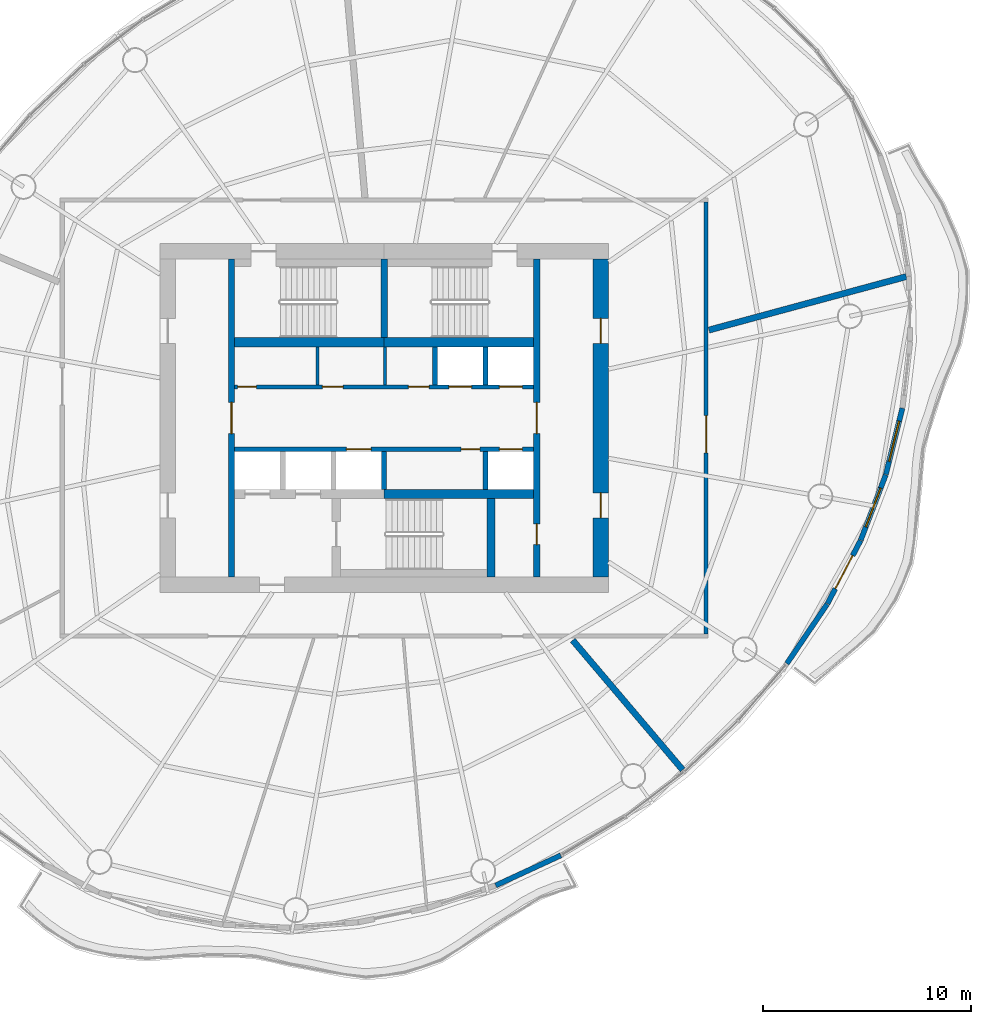
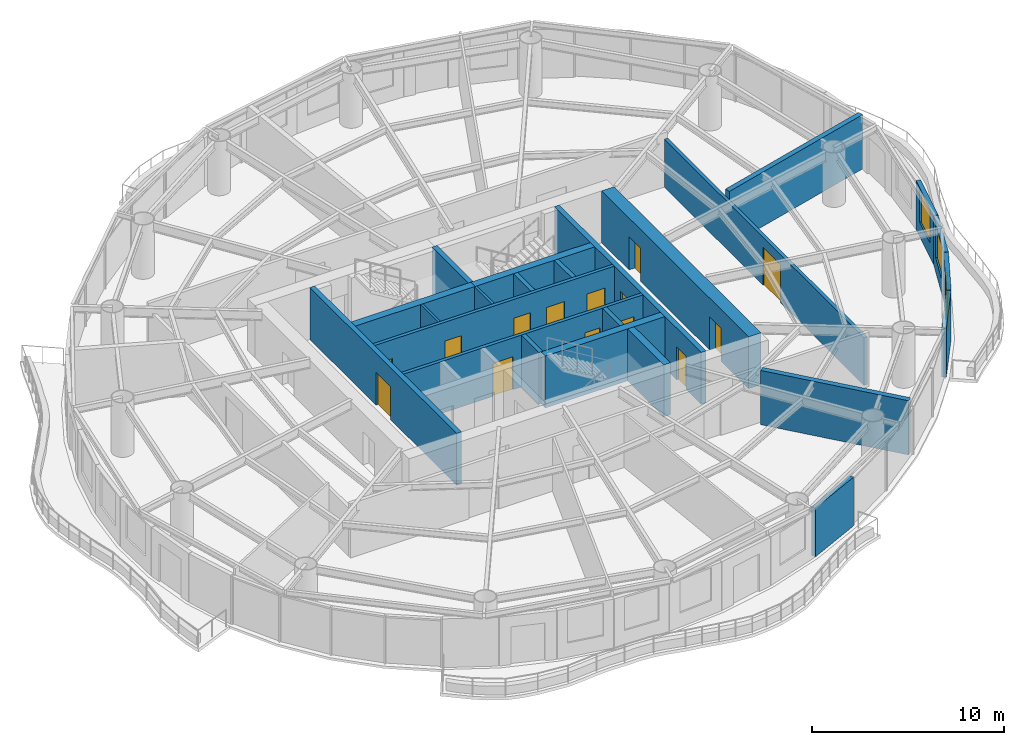
# One storey, part 9 of 14: 24 walls, 15 doors, 2 windows, 17 openings.
"""IFC4 building model written with IfcOpenShell, lengths in metres."""

from ifc_helpers import new_model, si_unit, direction, frame, frame_2d, origin, place, context, subcontext, project, spatial, rectangle, extrude, material, layer, layer_set, type_object, element, fill, save


model = new_model("IFC4")

# Units and contexts
model_context = context("Model", 3, precision=1e-05, world=origin(), true_north=direction((0.0, 1.0)))
body_context = subcontext(model_context, "Body", "Model", "MODEL_VIEW")
ifc_project = project(units=[si_unit("LENGTHUNIT", "METRE"), si_unit("AREAUNIT", "SQUARE_METRE"), si_unit("VOLUMEUNIT", "CUBIC_METRE"), si_unit("PLANEANGLEUNIT", "RADIAN"), si_unit("MASSUNIT", "GRAM", prefix="KILO")], contexts=[model_context])

# Site, building, storey
site_placement = place(None, origin())
site = spatial("IfcSite", under=ifc_project, at=site_placement, CompositionType="ELEMENT")
building_placement = place(site_placement, origin())
building = spatial("IfcBuilding", under=site, at=building_placement, Name="Vermilion Reach Broadcast Tower", CompositionType="ELEMENT")
storey_placement = place(building_placement, frame((0.0, 0.0, 195.699951171875)))
storey = spatial("IfcBuildingStorey", under=building, at=storey_placement, Name="L47", CompositionType="ELEMENT", Elevation=195.699951171875)

# Wall, opening, door
ifc_material_1 = material(Name="Concrete C60", Category="concrete")
ifc_layer_1 = layer(ifc_material_1, 0.300048828125)
ifc_layer_set_1 = layer_set([ifc_layer_1], Name="Core inner wall 300 mm Concrete C60")
wall_type_1 = type_object("IfcWallType", Name="Core inner wall 300 mm Concrete C60", PredefinedType="SHEAR", material=ifc_layer_set_1)
wall_1_placement = place(storey_placement, frame((-13.35009765625, 7.64990234375, 0.0), z_axis=(0.0, 0.0, 1.0), x_axis=(0.0, -1.0, 0.0)))
wall_1 = element("IfcWall", 1, at=wall_1_placement, inside=storey, type_object=wall_type_1, Name="L47 core wall ewW", PredefinedType="SHEAR", context=body_context, shape_type="SweptSolid", body=[
    extrude(rectangle(XDim=15.2998046875, YDim=0.300048828125, at=frame_2d((7.64990234375, 0.0))), origin(), (0.0, 0.0, 1.0), 3.300048828125),
])
opening_1_placement = place(wall_1_placement, frame((6.89990234375, 0.0, 0.0)))
opening_1 = element("IfcOpeningElement", 2, at=opening_1_placement, cuts=wall_1, Name="Opening D04", PredefinedType="OPENING", context=body_context, shape_type="SweptSolid", body=[
    extrude(rectangle(XDim=1.5, YDim=2.10009765625, at=frame_2d((0.75, 1.050048828125))), frame((0.0, 0.159912109375, 0.0), z_axis=(0.0, -1.0, 0.0), x_axis=(1.0, 0.0, 0.0)), (0.0, 0.0, 1.0), 0.320068359375),
])
ifc_material_2 = material(Name="Painted steel fire door", Category="steel")
door_type_1 = type_object("IfcDoorType", Name="Lift lobby door 1500 x 2100", OperationType="DOUBLE_DOOR_SINGLE_SWING", PredefinedType="NOTDEFINED", material=ifc_material_2)
door_1_placement = place(opening_1_placement, origin())
door_1 = element("IfcDoor", 3, at=door_1_placement, inside=storey, type_object=door_type_1, Name="L47 band door BW", OperationType="DOUBLE_DOOR_SINGLE_SWING", OverallHeight=2.10009765625, OverallWidth=1.5, PredefinedType="NOTDEFINED", context=body_context, shape_type="SweptSolid", body=[
    extrude(rectangle(XDim=1.5, YDim=2.10009765625, at=frame_2d((0.75, 1.050048828125))), frame((0.0, 0.02490234375, 0.0), z_axis=(0.0, -1.0, 0.0), x_axis=(1.0, 0.0, 0.0)), (0.0, 0.0, 1.0), 0.050048828125),
])
fill(opening_1, door_1)

# Wall, openings, doors
wall_2_placement = place(storey_placement, frame((1.35009765625, -7.64990234375, 0.0), z_axis=(0.0, 0.0, 1.0), x_axis=(0.0, 1.0, 0.0)))
wall_2 = element("IfcWall", 4, at=wall_2_placement, inside=storey, type_object=wall_type_1, Name="L47 core wall ewE", PredefinedType="SHEAR", context=body_context, shape_type="SweptSolid", body=[
    extrude(rectangle(XDim=15.2998046875, YDim=0.300048828125, at=frame_2d((7.64990234375, 0.0))), origin(), (0.0, 0.0, 1.0), 3.300048828125),
])
opening_2_placement = place(wall_2_placement, frame((1.56005859375, 0.0, 0.0)))
opening_2 = element("IfcOpeningElement", 5, at=opening_2_placement, cuts=wall_2, Name="Opening D05", PredefinedType="OPENING", context=body_context, shape_type="SweptSolid", body=[
    extrude(rectangle(XDim=1.0, YDim=2.10009765625, at=frame_2d((0.5, 1.050048828125))), frame((0.0, 0.159912109375, 0.0), z_axis=(0.0, -1.0, 0.0), x_axis=(1.0, 0.0, 0.0)), (0.0, 0.0, 1.0), 0.320068359375),
])
opening_3_placement = place(wall_2_placement, frame((6.89990234375, 0.0, 0.0)))
opening_3 = element("IfcOpeningElement", 6, at=opening_3_placement, cuts=wall_2, Name="Opening D04", PredefinedType="OPENING", context=body_context, shape_type="SweptSolid", body=[
    extrude(rectangle(XDim=1.5, YDim=2.10009765625, at=frame_2d((0.75, 1.050048828125))), frame((0.0, 0.159912109375, 0.0), z_axis=(0.0, -1.0, 0.0), x_axis=(1.0, 0.0, 0.0)), (0.0, 0.0, 1.0), 0.320068359375),
])
door_2_placement = place(opening_3_placement, origin())
door_2 = element("IfcDoor", 7, at=door_2_placement, inside=storey, type_object=door_type_1, Name="L47 band door BE", OperationType="DOUBLE_DOOR_SINGLE_SWING", OverallHeight=2.10009765625, OverallWidth=1.5, PredefinedType="NOTDEFINED", context=body_context, shape_type="SweptSolid", body=[
    extrude(rectangle(XDim=1.5, YDim=2.10009765625, at=frame_2d((0.75, 1.050048828125))), frame((0.0, 0.02490234375, 0.0), z_axis=(0.0, -1.0, 0.0), x_axis=(1.0, 0.0, 0.0)), (0.0, 0.0, 1.0), 0.050048828125),
])
fill(opening_3, door_2)
ifc_material_3 = material(Name="Timber door", Category="wood")
door_type_2 = type_object("IfcDoorType", Name="Room door 1000 x 2100", OperationType="NOTDEFINED", PredefinedType="NOTDEFINED", material=ifc_material_3)
door_3_placement = place(opening_2_placement, origin())
door_3 = element("IfcDoor", 8, at=door_3_placement, inside=storey, type_object=door_type_2, Name="L47 door SER", OperationType="SINGLE_SWING_LEFT", OverallHeight=2.10009765625, OverallWidth=1.0, PredefinedType="NOTDEFINED", context=body_context, shape_type="SweptSolid", body=[
    extrude(rectangle(XDim=1.0, YDim=2.10009765625, at=frame_2d((0.5, 1.050048828125))), frame((0.0, 0.02490234375, 0.0), z_axis=(0.0, -1.0, 0.0), x_axis=(1.0, 0.0, 0.0)), (0.0, 0.0, 1.0), 0.050048828125),
])
fill(opening_2, door_3)

# Walls
wall_3_placement = place(storey_placement, frame((-6.0, 3.8798828125, 0.0), z_axis=(0.0, 0.0, 1.0), x_axis=(0.0, 1.0, 0.0)))
element("IfcWall", 9, at=wall_3_placement, inside=storey, type_object=wall_type_1, Name="L47 core wall wc", PredefinedType="SHEAR", context=body_context, shape_type="SweptSolid", body=[
    extrude(rectangle(XDim=3.77001953125, YDim=0.300048828125, at=frame_2d((1.885009765625, 0.0))), origin(), (0.0, 0.0, 1.0), 3.300048828125),
])
ifc_material_4 = material(Name="Concrete C60", Category="concrete")
ifc_layer_2 = layer(ifc_material_4, 0.39990234375)
ifc_layer_set_2 = layer_set([ifc_layer_2], Name="Core inner wall 400 mm Concrete C60")
wall_type_2 = type_object("IfcWallType", Name="Core inner wall 400 mm Concrete C60", PredefinedType="SHEAR", material=ifc_layer_set_2)
wall_4_placement = place(storey_placement, frame((-0.85009765625, -3.8798828125, 0.0), z_axis=(0.0, 0.0, 1.0), x_axis=(0.0, -1.0, 0.0)))
element("IfcWall", 10, at=wall_4_placement, inside=storey, type_object=wall_type_2, Name="L47 core wall wb", PredefinedType="SHEAR", context=body_context, shape_type="SweptSolid", body=[
    extrude(rectangle(XDim=3.77001953125, YDim=0.39990234375, at=frame_2d((1.885009765625, 0.0))), origin(), (0.0, 0.0, 1.0), 3.300048828125),
])
ifc_material_5 = material(Name="Concrete C60", Category="concrete")
ifc_layer_3 = layer(ifc_material_5, 0.449951171875)
ifc_layer_set_3 = layer_set([ifc_layer_3], Name="Core inner wall 450 mm Concrete C60")
wall_type_3 = type_object("IfcWallType", Name="Core inner wall 450 mm Concrete C60", PredefinedType="SHEAR", material=ifc_layer_set_3)
for number, where, z_axis, x_axis, name in (
    (11, (-13.199951171875, 3.655029296875, 0.0), (0.0, 0.0, 1.0), (1.0, 0.0, 0.0), "L47 core wall winW"),
    (12, (-6.0, 3.655029296875, 0.0), (0.0, 0.0, 1.0), (1.0, 0.0, 0.0), "L47 core wall winE"),
    (13, (-6.0, -3.655029296875, 0.0), (0.0, 0.0, 1.0), (1.0, 0.0, 0.0), "L47 core wall wisE"),
):
    element("IfcWall", number, at=place(storey_placement, frame(where, z_axis=z_axis, x_axis=x_axis)), inside=storey, type_object=wall_type_3, Name=name, PredefinedType="SHEAR", context=body_context, shape_type="SweptSolid", body=[
        extrude(rectangle(XDim=7.199951171875, YDim=0.449951171875, at=frame_2d((3.60009765625, 0.0))), origin(), (0.0, 0.0, 1.0), 3.300048828125),
    ])

# Wall, openings, doors
ifc_material_6 = material(Name="Concrete C60", Category="concrete")
ifc_layer_4 = layer(ifc_material_6, 0.75)
ifc_layer_set_4 = layer_set([ifc_layer_4], Name="Core outer wall 750 mm Concrete C60")
wall_type_4 = type_object("IfcWallType", Name="Core outer wall 750 mm Concrete C60", PredefinedType="SHEAR", material=ifc_layer_set_4)
wall_5_placement = place(storey_placement, frame((4.425048828125, -7.64990234375, 0.0), z_axis=(0.0, 0.0, 1.0), x_axis=(0.0, 1.0, 0.0)))
wall_5 = element("IfcWall", 14, at=wall_5_placement, inside=storey, type_object=wall_type_4, Name="L47 core wall oe", PredefinedType="SHEAR", context=body_context, shape_type="SweptSolid", body=[
    extrude(rectangle(XDim=15.2998046875, YDim=0.75, at=frame_2d((7.64990234375, 0.0))), origin(), (0.0, 0.0, 1.0), 3.300048828125),
])
opening_4_placement = place(wall_5_placement, frame((2.85009765625, 0.0, 0.0)))
opening_4 = element("IfcOpeningElement", 15, at=opening_4_placement, cuts=wall_5, Name="Opening D03", PredefinedType="OPENING", context=body_context, shape_type="SweptSolid", body=[
    extrude(rectangle(XDim=1.199951171875, YDim=2.10009765625, at=frame_2d((0.60009765625, 1.050048828125))), frame((0.0, 0.385009765625, 0.0), z_axis=(0.0, -1.0, 0.0), x_axis=(1.0, 0.0, 0.0)), (0.0, 0.0, 1.0), 0.77001953125),
])
opening_5_placement = place(wall_5_placement, frame((11.25, 0.0, 0.0)))
opening_5 = element("IfcOpeningElement", 16, at=opening_5_placement, cuts=wall_5, Name="Opening D03", PredefinedType="OPENING", context=body_context, shape_type="SweptSolid", body=[
    extrude(rectangle(XDim=1.199951171875, YDim=2.10009765625, at=frame_2d((0.60009765625, 1.050048828125))), frame((0.0, 0.385009765625, 0.0), z_axis=(0.0, -1.0, 0.0), x_axis=(1.0, 0.0, 0.0)), (0.0, 0.0, 1.0), 0.77001953125),
])
ifc_material_7 = material(Name="Painted steel fire door", Category="steel")
door_type_3 = type_object("IfcDoorType", Name="Core lobby door 1200 x 2100", OperationType="DOUBLE_DOOR_SINGLE_SWING", PredefinedType="NOTDEFINED", material=ifc_material_7)
door_4_placement = place(opening_4_placement, origin())
door_4 = element("IfcDoor", 17, at=door_4_placement, inside=storey, type_object=door_type_3, Name="L47 slot door E0", OperationType="DOUBLE_DOOR_SINGLE_SWING", OverallHeight=2.10009765625, OverallWidth=1.199951171875, PredefinedType="NOTDEFINED", context=body_context, shape_type="SweptSolid", body=[
    extrude(rectangle(XDim=1.199951171875, YDim=2.10009765625, at=frame_2d((0.60009765625, 1.050048828125))), frame((0.0, 0.02490234375, 0.0), z_axis=(0.0, -1.0, 0.0), x_axis=(1.0, 0.0, 0.0)), (0.0, 0.0, 1.0), 0.050048828125),
])
fill(opening_4, door_4)
door_5_placement = place(opening_5_placement, origin())
door_5 = element("IfcDoor", 18, at=door_5_placement, inside=storey, type_object=door_type_3, Name="L47 slot door E1", OperationType="DOUBLE_DOOR_SINGLE_SWING", OverallHeight=2.10009765625, OverallWidth=1.199951171875, PredefinedType="NOTDEFINED", context=body_context, shape_type="SweptSolid", body=[
    extrude(rectangle(XDim=1.199951171875, YDim=2.10009765625, at=frame_2d((0.60009765625, 1.050048828125))), frame((0.0, 0.02490234375, 0.0), z_axis=(0.0, -1.0, 0.0), x_axis=(1.0, 0.0, 0.0)), (0.0, 0.0, 1.0), 0.050048828125),
])
fill(opening_5, door_5)

# Walls
ifc_material_8 = material(Name="Masonry block", Category="masonry")
ifc_layer_5 = layer(ifc_material_8, 0.14990234375)
ifc_layer_set_5 = layer_set([ifc_layer_5], Name="Core partition wall 150 mm Masonry block")
wall_type_5 = type_object("IfcWallType", Name="Core partition wall 150 mm Masonry block", PredefinedType="PARTITIONING", material=ifc_layer_set_5)
for number, where, z_axis, x_axis, name in (
    (19, (-9.202880859375, 1.60009765625, 0.0), (0.0, 0.0, 1.0), (0.0, 1.0, 0.0), "L47 core wall prN-3203"),
    (20, (-5.96728515625, 1.60009765625, 0.0), (0.0, 0.0, 1.0), (0.0, 1.0, 0.0), "L47 core wall prN33"),
):
    element("IfcWall", number, at=place(storey_placement, frame(where, z_axis=z_axis, x_axis=x_axis)), inside=storey, type_object=wall_type_5, Name=name, PredefinedType="PARTITIONING", context=body_context, shape_type="SweptSolid", body=[
        extrude(rectangle(XDim=1.829833984375, YDim=0.14990234375, at=frame_2d((0.9150390625, 0.0))), origin(), (0.0, 0.0, 1.0), 3.300048828125),
    ])

# Wall, openings, doors
ifc_material_9 = material(Name="Concrete C50", Category="concrete")
ifc_layer_6 = layer(ifc_material_9, 0.199951171875)
ifc_layer_set_6 = layer_set([ifc_layer_6], Name="Core shaft wall 200 mm Concrete C50")
wall_type_6 = type_object("IfcWallType", Name="Core shaft wall 200 mm Concrete C50", PredefinedType="SHEAR", material=ifc_layer_set_6)
wall_6_placement = place(storey_placement, frame((-13.199951171875, 1.5, 0.0), z_axis=(0.0, 0.0, 1.0), x_axis=(1.0, 0.0, 0.0)))
wall_6 = element("IfcWall", 21, at=wall_6_placement, inside=storey, type_object=wall_type_6, Name="L47 core wall fn", PredefinedType="SHEAR", context=body_context, shape_type="SweptSolid", body=[
    extrude(rectangle(XDim=14.39990234375, YDim=0.199951171875, at=frame_2d((7.199951171875, 0.0))), origin(), (0.0, 0.0, 1.0), 3.300048828125),
])
opening_6_placement = place(wall_6_placement, frame((10.3125, 0.0, 0.0)))
opening_6 = element("IfcOpeningElement", 22, at=opening_6_placement, cuts=wall_6, Name="Opening LD2", PredefinedType="OPENING", context=body_context, shape_type="SweptSolid", body=[
    extrude(rectangle(XDim=1.10009765625, YDim=2.10009765625, at=frame_2d((0.550048828125, 1.050048828125))), frame((0.0, 0.10986328125, 0.0), z_axis=(0.0, -1.0, 0.0), x_axis=(1.0, 0.0, 0.0)), (0.0, 0.0, 1.0), 0.219970703125),
])
opening_7_placement = place(wall_6_placement, frame((12.754150390625, 0.0, 0.0)))
opening_7 = element("IfcOpeningElement", 23, at=opening_7_placement, cuts=wall_6, Name="Opening LD2", PredefinedType="OPENING", context=body_context, shape_type="SweptSolid", body=[
    extrude(rectangle(XDim=1.10009765625, YDim=2.10009765625, at=frame_2d((0.550048828125, 1.050048828125))), frame((0.0, 0.10986328125, 0.0), z_axis=(0.0, -1.0, 0.0), x_axis=(1.0, 0.0, 0.0)), (0.0, 0.0, 1.0), 0.219970703125),
])
opening_8_placement = place(wall_6_placement, frame((0.14990234375, 0.0, 0.0)))
opening_8 = element("IfcOpeningElement", 24, at=opening_8_placement, cuts=wall_6, Name="Opening D06", PredefinedType="OPENING", context=body_context, shape_type="SweptSolid", body=[
    extrude(rectangle(XDim=0.89990234375, YDim=2.10009765625, at=frame_2d((0.449951171875, 1.050048828125))), frame((0.0, 0.10986328125, 0.0), z_axis=(0.0, -1.0, 0.0), x_axis=(1.0, 0.0, 0.0)), (0.0, 0.0, 1.0), 0.219970703125),
])
opening_9_placement = place(wall_6_placement, frame((4.221923828125, 0.0, 0.0)))
opening_9 = element("IfcOpeningElement", 25, at=opening_9_placement, cuts=wall_6, Name="Opening D07", PredefinedType="OPENING", context=body_context, shape_type="SweptSolid", body=[
    extrude(rectangle(XDim=1.0, YDim=2.10009765625, at=frame_2d((0.5, 1.050048828125))), frame((0.0, 0.10986328125, 0.0), z_axis=(0.0, -1.0, 0.0), x_axis=(1.0, 0.0, 0.0)), (0.0, 0.0, 1.0), 0.219970703125),
])
opening_10_placement = place(wall_6_placement, frame((8.36669921875, 0.0, 0.0)))
opening_10 = element("IfcOpeningElement", 26, at=opening_10_placement, cuts=wall_6, Name="Opening D10", PredefinedType="OPENING", context=body_context, shape_type="SweptSolid", body=[
    extrude(rectangle(XDim=1.0, YDim=2.10009765625, at=frame_2d((0.5, 1.050048828125))), frame((0.0, 0.10986328125, 0.0), z_axis=(0.0, -1.0, 0.0), x_axis=(1.0, 0.0, 0.0)), (0.0, 0.0, 1.0), 0.219970703125),
])
ifc_material_10 = material(Name="Timber door", Category="wood")
door_type_4 = type_object("IfcDoorType", Name="Accessible WC door 1000 x 2100", OperationType="NOTDEFINED", PredefinedType="NOTDEFINED", material=ifc_material_10)
door_6_placement = place(opening_9_placement, origin())
door_6 = element("IfcDoor", 27, at=door_6_placement, inside=storey, type_object=door_type_4, Name="L47 door Accessible WC", OperationType="SINGLE_SWING_LEFT", OverallHeight=2.10009765625, OverallWidth=1.0, PredefinedType="NOTDEFINED", context=body_context, shape_type="SweptSolid", body=[
    extrude(rectangle(XDim=1.0, YDim=2.10009765625, at=frame_2d((0.5, 1.050048828125))), frame((0.0, 0.02490234375, 0.0), z_axis=(0.0, -1.0, 0.0), x_axis=(1.0, 0.0, 0.0)), (0.0, 0.0, 1.0), 0.050048828125),
])
fill(opening_9, door_6)
ifc_material_11 = material(Name="Stainless steel", Category="steel")
door_type_5 = type_object("IfcDoorType", Name="Landing door 1100 x 2100", OperationType="DOUBLE_DOOR_SLIDING", PredefinedType="NOTDEFINED", material=ifc_material_11)
door_7_placement = place(opening_6_placement, origin())
door_7 = element("IfcDoor", 28, at=door_7_placement, inside=storey, type_object=door_type_5, Name="L47 landing door HR1", OperationType="DOUBLE_DOOR_SLIDING", OverallHeight=2.10009765625, OverallWidth=1.10009765625, PredefinedType="NOTDEFINED", context=body_context, shape_type="SweptSolid", body=[
    extrude(rectangle(XDim=1.10009765625, YDim=2.10009765625, at=frame_2d((0.550048828125, 1.050048828125))), frame((0.0, 0.02490234375, 0.0), z_axis=(0.0, -1.0, 0.0), x_axis=(1.0, 0.0, 0.0)), (0.0, 0.0, 1.0), 0.050048828125),
])
fill(opening_6, door_7)
door_8_placement = place(opening_7_placement, origin())
door_8 = element("IfcDoor", 29, at=door_8_placement, inside=storey, type_object=door_type_5, Name="L47 landing door HR2", OperationType="DOUBLE_DOOR_SLIDING", OverallHeight=2.10009765625, OverallWidth=1.10009765625, PredefinedType="NOTDEFINED", context=body_context, shape_type="SweptSolid", body=[
    extrude(rectangle(XDim=1.10009765625, YDim=2.10009765625, at=frame_2d((0.550048828125, 1.050048828125))), frame((0.0, 0.02490234375, 0.0), z_axis=(0.0, -1.0, 0.0), x_axis=(1.0, 0.0, 0.0)), (0.0, 0.0, 1.0), 0.050048828125),
])
fill(opening_7, door_8)
ifc_material_12 = material(Name="Timber door", Category="wood")
door_type_6 = type_object("IfcDoorType", Name="WC door 900 x 2100", OperationType="NOTDEFINED", PredefinedType="NOTDEFINED", material=ifc_material_12)
door_9_placement = place(opening_8_placement, origin())
door_9 = element("IfcDoor", 30, at=door_9_placement, inside=storey, type_object=door_type_6, Name="L47 door Male WC", OperationType="SINGLE_SWING_LEFT", OverallHeight=2.10009765625, OverallWidth=0.89990234375, PredefinedType="NOTDEFINED", context=body_context, shape_type="SweptSolid", body=[
    extrude(rectangle(XDim=0.89990234375, YDim=2.10009765625, at=frame_2d((0.449951171875, 1.050048828125))), frame((0.0, 0.02490234375, 0.0), z_axis=(0.0, -1.0, 0.0), x_axis=(1.0, 0.0, 0.0)), (0.0, 0.0, 1.0), 0.050048828125),
])
fill(opening_8, door_9)
ifc_material_13 = material(Name="Timber door", Category="wood")
door_type_7 = type_object("IfcDoorType", Name="WC lobby door 1000 x 2100", OperationType="NOTDEFINED", PredefinedType="NOTDEFINED", material=ifc_material_13)
door_10_placement = place(opening_10_placement, origin())
door_10 = element("IfcDoor", 31, at=door_10_placement, inside=storey, type_object=door_type_7, Name="L47 door WC lobby", OperationType="SINGLE_SWING_RIGHT", OverallHeight=2.10009765625, OverallWidth=1.0, PredefinedType="NOTDEFINED", context=body_context, shape_type="SweptSolid", body=[
    extrude(rectangle(XDim=1.0, YDim=2.10009765625, at=frame_2d((0.5, 1.050048828125))), frame((0.0, 0.02490234375, 0.0), z_axis=(0.0, -1.0, 0.0), x_axis=(1.0, 0.0, 0.0)), (0.0, 0.0, 1.0), 0.050048828125),
])
fill(opening_10, door_10)

wall_7_placement = place(storey_placement, frame((1.199951171875, -1.5, 0.0), z_axis=(0.0, 0.0, 1.0), x_axis=(-1.0, 0.0, 0.0)))
wall_7 = element("IfcWall", 32, at=wall_7_placement, inside=storey, type_object=wall_type_6, Name="L47 core wall fs", PredefinedType="SHEAR", context=body_context, shape_type="SweptSolid", body=[
    extrude(rectangle(XDim=14.39990234375, YDim=0.199951171875, at=frame_2d((7.199951171875, 0.0))), origin(), (0.0, 0.0, 1.0), 3.300048828125),
])
opening_11_placement = place(wall_7_placement, frame((7.82080078125, 0.0, 0.0)))
opening_11 = element("IfcOpeningElement", 33, at=opening_11_placement, cuts=wall_7, Name="Opening LD1", PredefinedType="OPENING", context=body_context, shape_type="SweptSolid", body=[
    extrude(rectangle(XDim=1.199951171875, YDim=2.10009765625, at=frame_2d((0.60009765625, 1.050048828125))), frame((0.0, 0.10986328125, 0.0), z_axis=(0.0, -1.0, 0.0), x_axis=(1.0, 0.0, 0.0)), (0.0, 0.0, 1.0), 0.219970703125),
])
opening_12_placement = place(wall_7_placement, frame((0.5458984375, 0.0, 0.0)))
opening_12 = element("IfcOpeningElement", 34, at=opening_12_placement, cuts=wall_7, Name="Opening LD2", PredefinedType="OPENING", context=body_context, shape_type="SweptSolid", body=[
    extrude(rectangle(XDim=1.10009765625, YDim=2.10009765625, at=frame_2d((0.550048828125, 1.050048828125))), frame((0.0, 0.10986328125, 0.0), z_axis=(0.0, -1.0, 0.0), x_axis=(1.0, 0.0, 0.0)), (0.0, 0.0, 1.0), 0.219970703125),
])
opening_13_placement = place(wall_7_placement, frame((2.591552734375, 0.0, 0.0)))
opening_13 = element("IfcOpeningElement", 35, at=opening_13_placement, cuts=wall_7, Name="Opening D06", PredefinedType="OPENING", context=body_context, shape_type="SweptSolid", body=[
    extrude(rectangle(XDim=0.89990234375, YDim=2.10009765625, at=frame_2d((0.449951171875, 1.050048828125))), frame((0.0, 0.10986328125, 0.0), z_axis=(0.0, -1.0, 0.0), x_axis=(1.0, 0.0, 0.0)), (0.0, 0.0, 1.0), 0.219970703125),
])
door_11_placement = place(opening_12_placement, origin())
door_11 = element("IfcDoor", 36, at=door_11_placement, inside=storey, type_object=door_type_5, Name="L47 landing door HR3", OperationType="DOUBLE_DOOR_SLIDING", OverallHeight=2.10009765625, OverallWidth=1.10009765625, PredefinedType="NOTDEFINED", context=body_context, shape_type="SweptSolid", body=[
    extrude(rectangle(XDim=1.10009765625, YDim=2.10009765625, at=frame_2d((0.550048828125, 1.050048828125))), frame((0.0, 0.02490234375, 0.0), z_axis=(0.0, -1.0, 0.0), x_axis=(1.0, 0.0, 0.0)), (0.0, 0.0, 1.0), 0.050048828125),
])
fill(opening_12, door_11)
ifc_material_14 = material(Name="Stainless steel", Category="steel")
door_type_8 = type_object("IfcDoorType", Name="Landing door 1200 x 2100", OperationType="DOUBLE_DOOR_SLIDING", PredefinedType="NOTDEFINED", material=ifc_material_14)
door_12_placement = place(opening_11_placement, origin())
door_12 = element("IfcDoor", 37, at=door_12_placement, inside=storey, type_object=door_type_8, Name="L47 landing door SV1", OperationType="DOUBLE_DOOR_SLIDING", OverallHeight=2.10009765625, OverallWidth=1.199951171875, PredefinedType="NOTDEFINED", context=body_context, shape_type="SweptSolid", body=[
    extrude(rectangle(XDim=1.199951171875, YDim=2.10009765625, at=frame_2d((0.60009765625, 1.050048828125))), frame((0.0, 0.02490234375, 0.0), z_axis=(0.0, -1.0, 0.0), x_axis=(1.0, 0.0, 0.0)), (0.0, 0.0, 1.0), 0.050048828125),
])
fill(opening_11, door_12)
door_13_placement = place(opening_13_placement, origin())
door_13 = element("IfcDoor", 38, at=door_13_placement, inside=storey, type_object=door_type_6, Name="L47 door Female WC", OperationType="SINGLE_SWING_LEFT", OverallHeight=2.10009765625, OverallWidth=0.89990234375, PredefinedType="NOTDEFINED", context=body_context, shape_type="SweptSolid", body=[
    extrude(rectangle(XDim=0.89990234375, YDim=2.10009765625, at=frame_2d((0.449951171875, 1.050048828125))), frame((0.0, 0.02490234375, 0.0), z_axis=(0.0, -1.0, 0.0), x_axis=(1.0, 0.0, 0.0)), (0.0, 0.0, 1.0), 0.050048828125),
])
fill(opening_13, door_13)

# Walls
ifc_material_15 = material(Name="Concrete C50", Category="concrete")
ifc_layer_7 = layer(ifc_material_15, 0.25)
ifc_layer_set_7 = layer_set([ifc_layer_7], Name="Core shaft wall 250 mm Concrete C50")
wall_type_7 = type_object("IfcWallType", Name="Core shaft wall 250 mm Concrete C50", PredefinedType="SHEAR", material=ifc_layer_set_7)
for number, where, z_axis, x_axis, name in (
    (39, (-3.558349609375, 1.60009765625, 0.0), (0.0, 0.0, 1.0), (0.0, 1.0, 0.0), "L47 core wall psN3"),
    (40, (-1.11669921875, 1.60009765625, 0.0), (0.0, 0.0, 1.0), (0.0, 1.0, 0.0), "L47 core wall psN4"),
    (41, (-6.0, -1.60009765625, 0.0), (0.0, 0.0, 1.0), (0.0, -1.0, 0.0), "L47 core wall psS2"),
    (42, (-1.11669921875, -1.60009765625, 0.0), (0.0, 0.0, 1.0), (0.0, -1.0, 0.0), "L47 core wall psS4"),
):
    element("IfcWall", number, at=place(storey_placement, frame(where, z_axis=z_axis, x_axis=x_axis)), inside=storey, type_object=wall_type_7, Name=name, PredefinedType="SHEAR", context=body_context, shape_type="SweptSolid", body=[
        extrude(rectangle(XDim=1.829833984375, YDim=0.25, at=frame_2d((0.9150390625, 0.0))), origin(), (0.0, 0.0, 1.0), 3.300048828125),
    ])
ifc_material_16 = material(Name="Double-leaf plasterboard on isolated steel stud", Category="steel")
ifc_layer_8 = layer(ifc_material_16, 0.300048828125)
ifc_layer_set_8 = layer_set([ifc_layer_8], Name="Partition 300 acoustic double leaf")
wall_type_8 = type_object("IfcWallType", Name="Partition 300 acoustic double leaf", PredefinedType="PARTITIONING", material=ifc_layer_set_8)
wall_8_placement = place(storey_placement, frame((8.372802734375, -16.935791015625, 0.0), z_axis=(0.0, 0.0, 1.0), x_axis=(-0.647061027519, 0.762438211704, 0.0)))
element("IfcWall", 43, at=wall_8_placement, inside=storey, type_object=wall_type_8, Name="Partition 47.07", PredefinedType="PARTITIONING", context=body_context, shape_type="SweptSolid", body=[
    extrude(rectangle(XDim=8.1826171875, YDim=0.300048828125, at=frame_2d((4.09130859375, 0.0))), origin(), (0.0, 0.0, 1.0), 3.449951171875),
])
wall_9_placement = place(storey_placement, frame((19.141357421875, 6.812255859375, 0.0), z_axis=(0.0, 0.0, 1.0), x_axis=(-0.965195730249, -0.26152858794, 0.0)))
element("IfcWall", 44, at=wall_9_placement, inside=storey, type_object=wall_type_8, Name="Partition 47.08", PredefinedType="PARTITIONING", context=body_context, shape_type="SweptSolid", body=[
    extrude(rectangle(XDim=9.8447265625, YDim=0.300048828125, at=frame_2d((4.92236328125, 0.0))), origin(), (0.0, 0.0, 1.0), 3.449951171875),
])
ifc_material_17 = material(Name="Terracotta rainscreen cladding", Category="masonry")
ifc_layer_9 = layer(ifc_material_17, 0.25)
ifc_layer_set_9 = layer_set([ifc_layer_9], Name="Terracotta rainscreen wall 250")
wall_type_9 = type_object("IfcWallType", Name="Terracotta rainscreen wall 250", PredefinedType="SOLIDWALL", material=ifc_layer_set_9)
wall_10_placement = place(storey_placement, frame((-0.6279296875, -22.5029296875, 0.0), z_axis=(0.0, 0.0, 1.0), x_axis=(0.907951105118, 0.419076115658, 0.0)))
element("IfcWall", 45, at=wall_10_placement, inside=storey, type_object=wall_type_9, Name="External wall L47 33", PredefinedType="SOLIDWALL", context=body_context, shape_type="SweptSolid", body=[
    extrude(rectangle(XDim=3.452392578125, YDim=0.25, at=frame_2d((1.72607421875, 0.0))), origin(), (0.0, 0.0, 1.0), 3.10009765625),
])
wall_11_placement = place(storey_placement, frame((13.392333984375, -11.81787109375, 0.0), z_axis=(0.0, 0.0, 1.0), x_axis=(0.561162409818, 0.827705714495, 0.0)))
element("IfcWall", 46, at=wall_11_placement, inside=storey, type_object=wall_type_9, Name="External wall L47 38", PredefinedType="SOLIDWALL", context=body_context, shape_type="SweptSolid", body=[
    extrude(rectangle(XDim=3.4521484375, YDim=0.25, at=frame_2d((1.72607421875, 0.0))), origin(), (0.0, 0.0, 1.0), 3.10009765625),
])

# Wall, opening, door
wall_12_placement = place(storey_placement, frame((15.3408203125, -8.94140625, 0.0), z_axis=(0.0, 0.0, 1.0), x_axis=(0.464508293803, 0.885568769203, 0.0)))
wall_12 = element("IfcWall", 47, at=wall_12_placement, inside=storey, type_object=wall_type_9, Name="External wall L47 39", PredefinedType="SOLIDWALL", context=body_context, shape_type="SweptSolid", body=[
    extrude(rectangle(XDim=3.43896484375, YDim=0.25, at=frame_2d((1.719482421875, 0.0))), origin(), (0.0, 0.0, 1.0), 3.10009765625),
])
opening_14_placement = place(wall_12_placement, frame((0.819091796875, 0.0, 0.0)))
opening_14 = element("IfcOpeningElement", 48, at=opening_14_placement, cuts=wall_12, Name="Opening D70", PredefinedType="OPENING", context=body_context, shape_type="SweptSolid", body=[
    extrude(rectangle(XDim=1.800048828125, YDim=2.39990234375, at=frame_2d((0.89990234375, 1.199951171875))), frame((0.0, 0.135009765625, 0.0), z_axis=(0.0, -1.0, 0.0), x_axis=(1.0, 0.0, 0.0)), (0.0, 0.0, 1.0), 0.27001953125),
])
ifc_material_18 = material(Name="Low-e laminated clear glass in aluminium frame", Category="aluminium")
door_type_9 = type_object("IfcDoorType", Name="Balcony sliding door 1800 x 2400", OperationType="DOUBLE_DOOR_SLIDING", PredefinedType="DOOR", material=ifc_material_18)
door_14_placement = place(opening_14_placement, origin())
door_14 = element("IfcDoor", 49, at=door_14_placement, inside=storey, type_object=door_type_9, Name="Balcony door L47 run 10", OperationType="DOUBLE_DOOR_SLIDING", OverallHeight=2.39990234375, OverallWidth=1.800048828125, PredefinedType="DOOR", context=body_context, shape_type="SweptSolid", body=[
    extrude(rectangle(XDim=1.800048828125, YDim=2.39990234375, at=frame_2d((0.89990234375, 1.199951171875))), frame((0.0, 0.02490234375, 0.0), z_axis=(0.0, -1.0, 0.0), x_axis=(1.0, 0.0, 0.0)), (0.0, 0.0, 1.0), 0.050048828125),
])
fill(opening_14, door_14)

# Wall, opening, window
wall_13_placement = place(storey_placement, frame((16.947509765625, -5.87548828125, 0.0), z_axis=(0.0, 0.0, 1.0), x_axis=(0.358011880991, 0.933717030513, 0.0)))
wall_13 = element("IfcWall", 50, at=wall_13_placement, inside=storey, type_object=wall_type_9, Name="External wall L47 40", PredefinedType="SOLIDWALL", context=body_context, shape_type="SweptSolid", body=[
    extrude(rectangle(XDim=3.36669921875, YDim=0.25, at=frame_2d((1.683349609375, 0.0))), origin(), (0.0, 0.0, 1.0), 3.10009765625),
])
opening_15_placement = place(wall_13_placement, frame((0.683349609375, 0.0, 0.89990234375)))
opening_15 = element("IfcOpeningElement", 51, at=opening_15_placement, cuts=wall_13, Name="Opening W03", PredefinedType="OPENING", context=body_context, shape_type="SweptSolid", body=[
    extrude(rectangle(XDim=2.0, YDim=2.10009765625, at=frame_2d((1.0, 1.050048828125))), frame((0.0, 0.135009765625, 0.0), z_axis=(0.0, -1.0, 0.0), x_axis=(1.0, 0.0, 0.0)), (0.0, 0.0, 1.0), 0.27001953125),
])
ifc_material_19 = material(Name="Low-e laminated clear glass in aluminium frame", Category="aluminium")
window_type = type_object("IfcWindowType", Name="Punched window 2000 x 2100 sill 900", PartitioningType="SINGLE_PANEL", PredefinedType="WINDOW", material=ifc_material_19)
window_1_placement = place(opening_15_placement, origin())
window_1 = element("IfcWindow", 52, at=window_1_placement, inside=storey, type_object=window_type, Name="Window L47 40", OverallHeight=2.10009765625, OverallWidth=2.0, PartitioningType="SINGLE_PANEL", PredefinedType="WINDOW", context=body_context, shape_type="SweptSolid", body=[
    extrude(rectangle(XDim=2.0, YDim=2.10009765625, at=frame_2d((1.0, 1.050048828125))), frame((0.0, 0.030029296875, 0.0), z_axis=(0.0, -1.0, 0.0), x_axis=(1.0, 0.0, 0.0)), (0.0, 0.0, 1.0), 0.06005859375),
])
fill(opening_15, window_1)

wall_14_placement = place(storey_placement, frame((18.15966796875, -2.709716796875, 0.0), z_axis=(0.0, 0.0, 1.0), x_axis=(0.241591009496, 0.970378165527, 0.0)))
wall_14 = element("IfcWall", 53, at=wall_14_placement, inside=storey, type_object=wall_type_9, Name="External wall L47 41", PredefinedType="SOLIDWALL", context=body_context, shape_type="SweptSolid", body=[
    extrude(rectangle(XDim=3.2841796875, YDim=0.25, at=frame_2d((1.64208984375, 0.0))), origin(), (0.0, 0.0, 1.0), 3.10009765625),
])
opening_16_placement = place(wall_14_placement, frame((0.64208984375, 0.0, 0.89990234375)))
opening_16 = element("IfcOpeningElement", 54, at=opening_16_placement, cuts=wall_14, Name="Opening W03", PredefinedType="OPENING", context=body_context, shape_type="SweptSolid", body=[
    extrude(rectangle(XDim=2.0, YDim=2.10009765625, at=frame_2d((1.0, 1.050048828125))), frame((0.0, 0.135009765625, 0.0), z_axis=(0.0, -1.0, 0.0), x_axis=(1.0, 0.0, 0.0)), (0.0, 0.0, 1.0), 0.27001953125),
])
window_2_placement = place(opening_16_placement, origin())
window_2 = element("IfcWindow", 55, at=window_2_placement, inside=storey, type_object=window_type, Name="Window L47 41", OverallHeight=2.10009765625, OverallWidth=2.0, PartitioningType="SINGLE_PANEL", PredefinedType="WINDOW", context=body_context, shape_type="SweptSolid", body=[
    extrude(rectangle(XDim=2.0, YDim=2.10009765625, at=frame_2d((1.0, 1.050048828125))), frame((0.0, 0.030029296875, 0.0), z_axis=(0.0, -1.0, 0.0), x_axis=(1.0, 0.0, 0.0)), (0.0, 0.0, 1.0), 0.06005859375),
])
fill(opening_16, window_2)

# Wall, opening, door
ifc_material_20 = material(Name="Fire-rated gypsum board partition")
ifc_layer_10 = layer(ifc_material_20, 0.199951171875)
ifc_layer_set_10 = layer_set([ifc_layer_10], Name="Under girder: Corridor wall 200 fire-rated")
wall_type_10 = type_object("IfcWallType", Name="Under girder: Corridor wall 200 fire-rated", PredefinedType="PARTITIONING", material=ifc_layer_set_10)
wall_15_placement = place(storey_placement, frame((9.5, 10.39990234375, 0.0), z_axis=(0.0, 0.0, 1.0), x_axis=(0.0, -1.0, 0.0)))
wall_15 = element("IfcWall", 56, at=wall_15_placement, inside=storey, type_object=wall_type_10, Name="Corridor wall 47.E", PredefinedType="PARTITIONING", context=body_context, shape_type="SweptSolid", body=[
    extrude(rectangle(XDim=20.7998046875, YDim=0.199951171875, at=frame_2d((10.39990234375, 0.0))), origin(), (0.0, 0.0, 1.0), 3.050048828125),
])
opening_17_placement = place(wall_15_placement, frame((10.28125, 0.0, 0.0)))
opening_17 = element("IfcOpeningElement", 57, at=opening_17_placement, cuts=wall_15, Name="Opening D27", PredefinedType="OPENING", context=body_context, shape_type="SweptSolid", body=[
    extrude(rectangle(XDim=1.800048828125, YDim=2.39990234375, at=frame_2d((0.89990234375, 1.199951171875))), frame((0.0, 0.10986328125, 0.0), z_axis=(0.0, -1.0, 0.0), x_axis=(1.0, 0.0, 0.0)), (0.0, 0.0, 1.0), 0.219970703125),
])
ifc_material_21 = material(Name="Acoustic timber door leaf", Category="wood")
door_type_10 = type_object("IfcDoorType", Name="Door pair 1800x2400", OperationType="NOTDEFINED", PredefinedType="DOOR", material=ifc_material_21)
door_15_placement = place(opening_17_placement, origin())
door_15 = element("IfcDoor", 58, at=door_15_placement, inside=storey, type_object=door_type_10, Name="Door 47.07", OperationType="DOUBLE_DOOR_SINGLE_SWING", OverallHeight=2.39990234375, OverallWidth=1.800048828125, PredefinedType="DOOR", context=body_context, shape_type="SweptSolid", body=[
    extrude(rectangle(XDim=1.800048828125, YDim=2.39990234375, at=frame_2d((0.89990234375, 1.199951171875))), frame((0.0, 0.02490234375, 0.0), z_axis=(0.0, -1.0, 0.0), x_axis=(1.0, 0.0, 0.0)), (0.0, 0.0, 1.0), 0.050048828125),
])
fill(opening_17, door_15)

save(model, "model.ifc")
